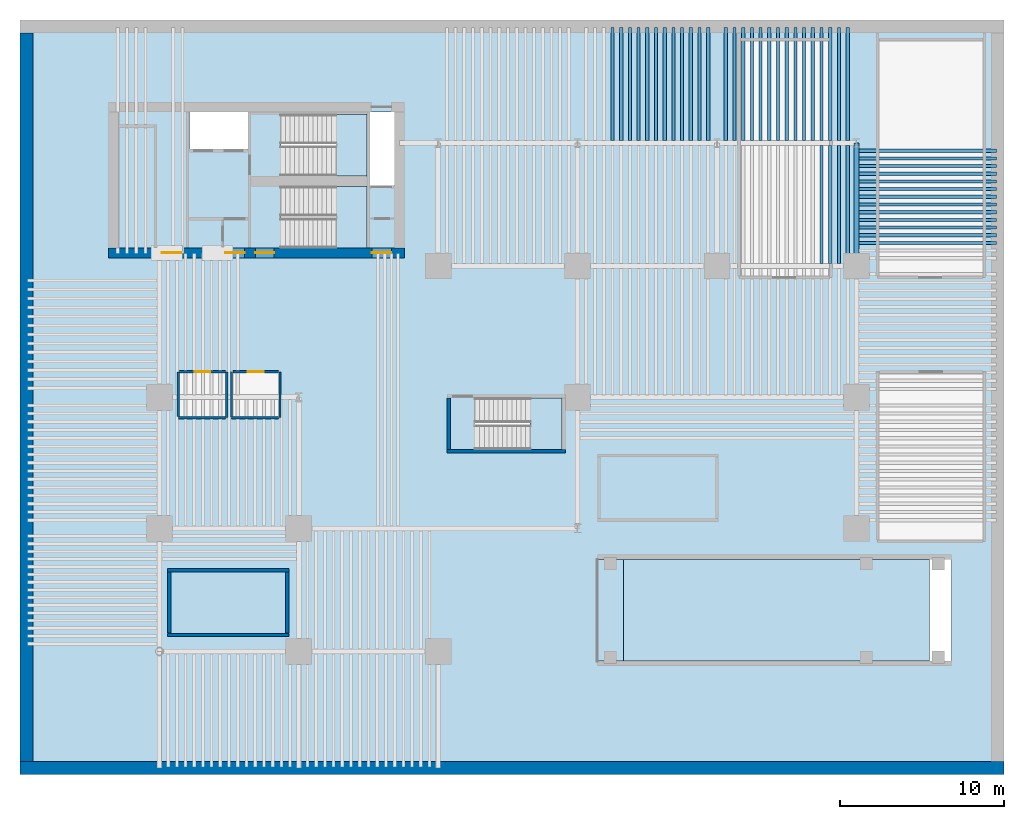
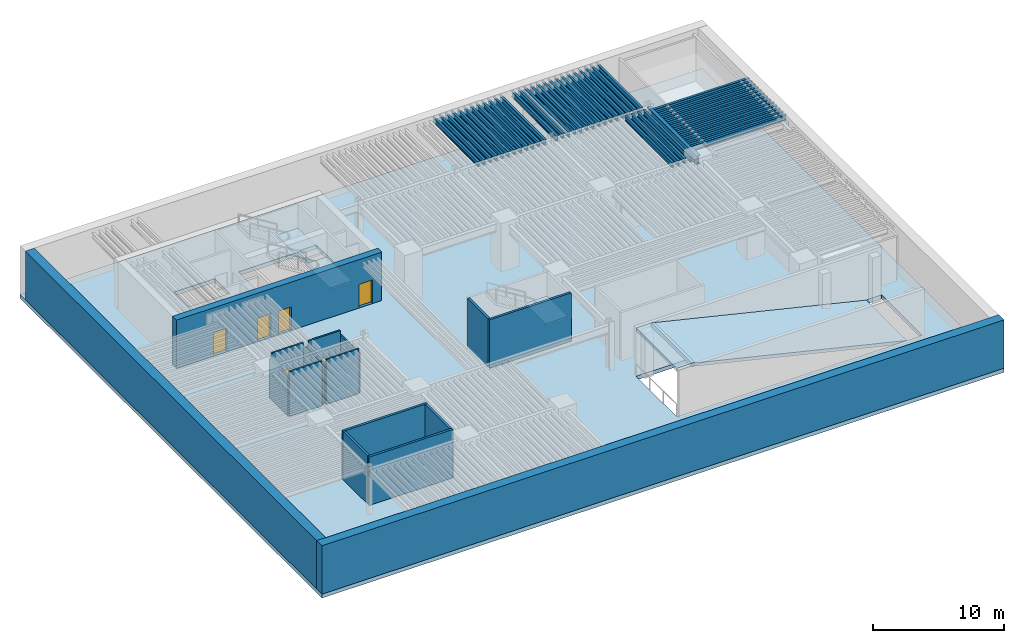
# One storey, part 3 of 9: 45 beams, 17 walls, 6 doors, 6 slabs, 6 openings, 3 elements without a shape of their own.
"""IFC4 building model written with IfcOpenShell, lengths in metres."""

import ifcopenshell
import ifcopenshell.guid

model = None  # the IFC model being written
_history = None  # IfcOwnerHistory: only IFC2X3 demands one
_inside = {}  # id of a spatial element -> (the spatial element, [elements in it])
_under = {}  # id of a project, library or spatial element -> (it, [spatial elements below it])
_declared = {}  # id of a project -> (the project, [libraries it declares])
_typed = {}  # id of a type object -> (the type object, [elements of that type])
_made_of = {}  # id of a material, layer set ... -> (it, [elements and type objects made of it])


def new_model(schema):
    """Start an empty IFC model of exactly this schema.

    Asked for "IFC4X3", IfcOpenShell would pick the latest addendum, in which some entities
    have other attributes; the version numbers below select the first issue.
    IFC2X3 requires an IfcOwnerHistory on every rooted entity: one is made here for all.
    """
    global model, _history
    if schema == "IFC4X3":
        model = ifcopenshell.file(schema_version=(4, 3, 0, 0))
    else:
        model = ifcopenshell.file(schema=schema)
    _inside.clear()
    _under.clear()
    _declared.clear()
    _typed.clear()
    _made_of.clear()
    _history = None
    if model.schema == "IFC2X3":
        org = make("IfcOrganization", Name="unknown")
        user = make(
            "IfcPersonAndOrganization",
            ThePerson=make("IfcPerson", FamilyName="unknown"),
            TheOrganization=org,
        )
        app = make(
            "IfcApplication",
            ApplicationDeveloper=org,
            Version="unknown",
            ApplicationFullName="unknown",
            ApplicationIdentifier="unknown",
        )
        _history = make(
            "IfcOwnerHistory",
            OwningUser=user,
            OwningApplication=app,
            ChangeAction="ADDED",
            CreationDate=0,
        )
    return model


def make(cls, **values):
    """One entity of the class cls with the attributes given. An attribute that is None is left unset."""
    return model.create_entity(
        cls, **{name: value for name, value in values.items() if value is not None}
    )


def rooted(cls, **values):
    """An entity with a GlobalId (a new one), such as an element, a storey or a relation."""
    return make(cls, GlobalId=ifcopenshell.guid.new(), OwnerHistory=_history, **values)


def si_unit(unit_type, name, prefix=None):
    """IfcSIUnit, for example si_unit("LENGTHUNIT", "METRE", prefix="MILLI")."""
    return make("IfcSIUnit", UnitType=unit_type, Prefix=prefix, Name=name)


def assignment(units):
    """IfcUnitAssignment: the units of a project."""
    return None if units is None else make("IfcUnitAssignment", Units=units)


def point(xyz):
    """IfcCartesianPoint."""
    return None if xyz is None else make("IfcCartesianPoint", Coordinates=xyz)


def direction(xyz):
    """IfcDirection."""
    return None if xyz is None else make("IfcDirection", DirectionRatios=xyz)


def frame(location, z_axis=None, x_axis=None):
    """IfcAxis2Placement3D, a coordinate frame: its origin and axes. An axis left out is left unset."""
    return make(
        "IfcAxis2Placement3D",
        Location=point(location),
        Axis=direction(z_axis),
        RefDirection=direction(x_axis),
    )


def frame_2d(location, x_axis=None):
    """IfcAxis2Placement2D, a coordinate frame in the plane: its origin and x axis."""
    return make(
        "IfcAxis2Placement2D", Location=point(location), RefDirection=direction(x_axis)
    )


def origin():
    """The frame at (0, 0, 0) with its axes left unset."""
    return frame((0.0, 0.0, 0.0))


def origin_2d():
    """The frame at (0, 0) in the plane with its x axis left unset."""
    return frame_2d((0.0, 0.0))


def place(relative_to, where):
    """IfcLocalPlacement: puts the frame where relative to a parent placement (None: the world)."""
    return make(
        "IfcLocalPlacement", PlacementRelTo=relative_to, RelativePlacement=where
    )


def context(
    kind, dimensions, precision=None, world=None, true_north=None, identifier=None
):
    """IfcGeometricRepresentationContext, for example the 3D "Model" context."""
    return make(
        "IfcGeometricRepresentationContext",
        ContextIdentifier=identifier,
        ContextType=kind,
        CoordinateSpaceDimension=dimensions,
        Precision=precision,
        WorldCoordinateSystem=world,
        TrueNorth=true_north,
    )


def subcontext(parent, identifier, kind, view, scale=None):
    """IfcGeometricRepresentationSubContext, for example "Body" below "Model"."""
    return make(
        "IfcGeometricRepresentationSubContext",
        ContextIdentifier=identifier,
        ContextType=kind,
        ParentContext=parent,
        TargetScale=scale,
        TargetView=view,
    )


def project(units=None, contexts=None):
    """IfcProject with its units and contexts."""
    return rooted(
        "IfcProject",
        Name="project",
        RepresentationContexts=contexts,
        UnitsInContext=assignment(units),
    )


def spatial(cls, under=None, at=None, **own):
    """A site, building, storey or space (cls), placed at a placement, below another one or the project."""
    s = rooted(cls, ObjectPlacement=at, **own)
    if under is not None:
        _under.setdefault(under.id(), (under, []))[1].append(s)
    return s


def polyline(points):
    """IfcPolyline through the points."""
    return make("IfcPolyline", Points=[point(p) for p in points])


def profile(cls, at=None, kind="AREA", **sizes):
    """A parametric profile (cls). Its sizes go by their IFC names, for example OverallWidth=200.0."""
    return make(cls, ProfileType=kind, Position=at, **sizes)


def rectangle(**sizes):
    """IfcRectangleProfileDef."""
    return profile("IfcRectangleProfileDef", **sizes)


def i_section(**sizes):
    """IfcIShapeProfileDef."""
    return profile("IfcIShapeProfileDef", **sizes)


def outline(outer, holes=None, kind="AREA"):
    """IfcArbitraryClosedProfileDef: a profile drawn as a closed curve; with holes, ...WithVoids."""
    if holes is None:
        return make("IfcArbitraryClosedProfileDef", ProfileType=kind, OuterCurve=outer)
    return make(
        "IfcArbitraryProfileDefWithVoids",
        ProfileType=kind,
        OuterCurve=outer,
        InnerCurves=holes,
    )


def extrude(swept, where, along, depth):
    """IfcExtrudedAreaSolid: the profile swept, set in the frame where, extruded along a direction by depth."""
    return make(
        "IfcExtrudedAreaSolid",
        SweptArea=swept,
        Position=where,
        ExtrudedDirection=direction(along),
        Depth=depth,
    )


def shape(context_of_items, identifier, shape_type, items):
    """IfcShapeRepresentation: the items that make up one representation, for example the "Body"."""
    return make(
        "IfcShapeRepresentation",
        ContextOfItems=context_of_items,
        RepresentationIdentifier=identifier,
        RepresentationType=shape_type,
        Items=items,
    )


def material(Name=None, Category=None):
    """IfcMaterial."""
    return make("IfcMaterial", Name=Name, Category=Category)


def layer(
    of_material, thickness, ventilated=None, Name=None, Category=None, Priority=None
):
    """IfcMaterialLayer: one layer of a wall or slab, of a material (None: an air gap)."""
    return make(
        "IfcMaterialLayer",
        Material=of_material,
        LayerThickness=thickness,
        IsVentilated=ventilated,
        Name=Name,
        Category=Category,
        Priority=Priority,
    )


def layer_set(layers, Name=None):
    """IfcMaterialLayerSet."""
    return make("IfcMaterialLayerSet", MaterialLayers=layers, LayerSetName=Name)


def material_profile(
    of_material, cross_section, Name=None, Category=None, Priority=None
):
    """IfcMaterialProfile: a cross section and its material."""
    return make(
        "IfcMaterialProfile",
        Name=Name,
        Material=of_material,
        Profile=cross_section,
        Priority=Priority,
        Category=Category,
    )


def profile_set(profiles, Name=None, composite=None):
    """IfcMaterialProfileSet."""
    return make(
        "IfcMaterialProfileSet",
        Name=Name,
        MaterialProfiles=profiles,
        CompositeProfile=composite,
    )


def made_of(thing, what):
    """Note that an element or type object is made of a material, layer set ...; save() writes the relation."""
    if what is not None:
        _made_of.setdefault(what.id(), (what, []))[1].append(thing)
    return thing


def type_object(cls, material=None, **own):
    """A type object (cls), such as IfcWallType, which elements share."""
    return made_of(rooted(cls, **own), material)


def element(
    cls,
    number,
    at=None,
    inside=None,
    cuts=None,
    type_object=None,
    material=None,
    context=None,
    identifier="Body",
    shape_type=None,
    held_by="IfcProductDefinitionShape",
    body=None,
    shapes=None,
    **own,
):
    """One element of the class cls, such as IfcWall. Its Tag is "e" and its number.

    at: its placement. inside: the storey or other place that contains it. cuts: it is an
    opening in that element (IfcRelVoidsElement). A single representation is given by context,
    identifier, shape_type and body (its items); several are given by shapes. held_by: the class
    of the entity that holds the representations. save() writes the other relations.
    """
    e = rooted(cls, Tag="e%d" % number, ObjectPlacement=at, **own)
    if body is not None:
        shapes = [shape(context, identifier, shape_type, body)]
    if shapes is not None:
        e.Representation = make(held_by, Representations=shapes)
    if inside is not None:
        _inside.setdefault(inside.id(), (inside, []))[1].append(e)
    if cuts is not None:
        rooted(
            "IfcRelVoidsElement", RelatingBuildingElement=cuts, RelatedOpeningElement=e
        )
    if type_object is not None:
        _typed.setdefault(type_object.id(), (type_object, []))[1].append(e)
    return made_of(e, material)


def fill(opening, filler):
    """IfcRelFillsElement: the door or window that sits in an opening."""
    return rooted(
        "IfcRelFillsElement",
        RelatingOpeningElement=opening,
        RelatedBuildingElement=filler,
    )


def aggregate(whole, parts):
    """IfcRelAggregates: a whole, such as a stair, and the parts it consists of."""
    return rooted("IfcRelAggregates", RelatingObject=whole, RelatedObjects=parts)


def save(model, path):
    """Write the relations noted so far, then the file.

    IfcRelAggregates (storeys below a building ...), IfcRelContainedInSpatialStructure (elements
    in a storey), IfcRelDefinesByType, IfcRelAssociatesMaterial and IfcRelDeclares: one each for
    every whole, place, type object, material and project.
    """
    for whole, parts in _under.values():
        aggregate(whole, parts)
    for where, things in _inside.values():
        rooted(
            "IfcRelContainedInSpatialStructure",
            RelatedElements=things,
            RelatingStructure=where,
        )
    for kind, things in _typed.values():
        rooted("IfcRelDefinesByType", RelatedObjects=things, RelatingType=kind)
    for what, things in _made_of.values():
        rooted("IfcRelAssociatesMaterial", RelatedObjects=things, RelatingMaterial=what)
    for by, libraries in _declared.values():
        rooted("IfcRelDeclares", RelatingContext=by, RelatedDefinitions=libraries)
    model.write(path)


model = new_model("IFC4")

# Units and contexts
model_context = context("Model", 3, precision=1e-05, world=origin(), true_north=direction((0.0, 1.0)))
body_context = subcontext(model_context, "Body", "Model", "MODEL_VIEW")
ifc_project = project(units=[si_unit("LENGTHUNIT", "METRE"), si_unit("AREAUNIT", "SQUARE_METRE"), si_unit("VOLUMEUNIT", "CUBIC_METRE"), si_unit("PLANEANGLEUNIT", "RADIAN"), si_unit("MASSUNIT", "GRAM", prefix="KILO")], contexts=[model_context])

# Site, building, storey
site_placement = place(None, origin())
site = spatial("IfcSite", under=ifc_project, at=site_placement, CompositionType="ELEMENT")
building_placement = place(site_placement, origin())
building = spatial("IfcBuilding", under=site, at=building_placement, Name="Caeloran Harvest Quay", CompositionType="ELEMENT")
storey_placement = place(building_placement, frame((0.0, 0.0, -13.5)))
storey = spatial("IfcBuildingStorey", under=building, at=storey_placement, Name="B03", CompositionType="ELEMENT", Elevation=-13.5)

# Beams
ifc_material_1 = material(Name="Steel S355J2", Category="steel")
ifc_material_profile_1 = material_profile(ifc_material_1, i_section(OverallWidth=0.300048828125, OverallDepth=0.800048828125, WebThickness=0.017578125, FlangeThickness=0.032958984375, FilletRadius=0.030029296875, at=origin_2d()), Name="HE 800 B")
ifc_profile_set_1 = profile_set([ifc_material_profile_1], Name="Steel S355J2")
beam_type_1 = type_object("IfcBeamType", Name="BM-PG-1-HE_800_B", PredefinedType="BEAM", material=ifc_profile_set_1)
beam_placement = place(storey_placement, frame((51.0, 31.0, 3.75), z_axis=(0.0, 1.0, 0.0), x_axis=(-1.0, 0.0, 0.0)))
element("IfcBeam", 1, at=beam_placement, inside=storey, type_object=beam_type_1, Name="B03 Primary North-South Girder X=51.0", PredefinedType="BEAM", context=body_context, shape_type="SweptSolid", body=[
    extrude(i_section(OverallWidth=0.300048828125, OverallDepth=0.800048828125, WebThickness=0.017578125, FlangeThickness=0.032958984375, FilletRadius=0.030029296875, at=origin_2d()), origin(), (0.0, 0.0, 1.0), 7.5),
])
ifc_material_profile_2 = material_profile(ifc_material_1, i_section(OverallWidth=0.199951171875, OverallDepth=0.5, WebThickness=0.01025390625, FlangeThickness=0.01611328125, FilletRadius=0.02099609375, at=origin_2d()), Name="IPE 500")
ifc_profile_set_2 = profile_set([ifc_material_profile_2], Name="Steel S355J2")
beam_type_2 = type_object("IfcBeamType", Name="BM-SB-2-IPE_500", PredefinedType="JOIST", material=ifc_profile_set_2)
for number, where, z_axis, x_axis, name in (
    (2, (36.65625, 38.64501953125, 3.89990234375), (0.0, 1.0, 0.0), (-1.0, 0.0, 0.0), "B03 Secondary Composite Joist"),
    (3, (37.71875, 38.64501953125, 3.89990234375), (0.0, 1.0, 0.0), (-1.0, 0.0, 0.0), "B03 Secondary Composite Joist"),
    (4, (38.78125, 38.64501953125, 3.89990234375), (0.0, 1.0, 0.0), (-1.0, 0.0, 0.0), "B03 Secondary Composite Joist"),
    (5, (39.84375, 38.64501953125, 3.89990234375), (0.0, 1.0, 0.0), (-1.0, 0.0, 0.0), "B03 Secondary Composite Joist"),
    (6, (40.90625, 38.64501953125, 3.89990234375), (0.0, 1.0, 0.0), (-1.0, 0.0, 0.0), "B03 Secondary Composite Joist"),
    (7, (41.96875, 38.64501953125, 3.89990234375), (0.0, 1.0, 0.0), (-1.0, 0.0, 0.0), "B03 Secondary Composite Joist"),
    (8, (43.03125, 38.64501953125, 3.89990234375), (0.0, 1.0, 0.0), (-1.0, 0.0, 0.0), "B03 Secondary Composite Joist"),
    (9, (44.09375, 38.64501953125, 3.89990234375), (0.0, 1.0, 0.0), (-1.0, 0.0, 0.0), "B03 Secondary Composite Joist"),
    (10, (45.15625, 38.64501953125, 3.89990234375), (0.0, 1.0, 0.0), (-1.0, 0.0, 0.0), "B03 Secondary Composite Joist"),
    (11, (46.21875, 38.64501953125, 3.89990234375), (0.0, 1.0, 0.0), (-1.0, 0.0, 0.0), "B03 Secondary Composite Joist"),
    (12, (47.28125, 38.64501953125, 3.89990234375), (0.0, 1.0, 0.0), (-1.0, 0.0, 0.0), "B03 Secondary Composite Joist"),
    (13, (48.34375, 38.64501953125, 3.89990234375), (0.0, 1.0, 0.0), (-1.0, 0.0, 0.0), "B03 Secondary Composite Joist"),
    (14, (49.40625, 38.64501953125, 3.89990234375), (0.0, 1.0, 0.0), (-1.0, 0.0, 0.0), "B03 Secondary Composite Joist"),
    (15, (50.46875, 38.64501953125, 3.89990234375), (0.0, 1.0, 0.0), (-1.0, 0.0, 0.0), "B03 Secondary Composite Joist"),
):
    element("IfcBeam", number, at=place(storey_placement, frame(where, z_axis=z_axis, x_axis=x_axis)), inside=storey, type_object=beam_type_2, Name=name, PredefinedType="JOIST", context=body_context, shape_type="SweptSolid", body=[
        extrude(i_section(OverallWidth=0.199951171875, OverallDepth=0.5, WebThickness=0.01025390625, FlangeThickness=0.01611328125, FilletRadius=0.02099609375, at=origin_2d()), origin(), (0.0, 0.0, 1.0), 6.905029296875),
    ])
for number, where, z_axis, x_axis, name in (
    (16, (49.40625, 31.14501953125, 3.89990234375), (0.0, 1.0, 0.0), (-1.0, 0.0, 0.0), "B03 Secondary Composite Joist"),
    (17, (50.46875, 31.14501953125, 3.89990234375), (0.0, 1.0, 0.0), (-1.0, 0.0, 0.0), "B03 Secondary Composite Joist"),
):
    element("IfcBeam", number, at=place(storey_placement, frame(where, z_axis=z_axis, x_axis=x_axis)), inside=storey, type_object=beam_type_2, Name=name, PredefinedType="JOIST", context=body_context, shape_type="SweptSolid", body=[
        extrude(i_section(OverallWidth=0.199951171875, OverallDepth=0.5, WebThickness=0.01025390625, FlangeThickness=0.01611328125, FilletRadius=0.02099609375, at=origin_2d()), origin(), (0.0, 0.0, 1.0), 7.2099609375),
    ])
for number, where, z_axis, x_axis, name in (
    (18, (51.14501953125, 32.40625, 3.89990234375), (1.0, 0.0, 0.0), (0.0, 1.0, 0.0), "B03 Secondary East-West Composite Joist"),
    (19, (51.14501953125, 33.34375, 3.89990234375), (1.0, 0.0, 0.0), (0.0, 1.0, 0.0), "B03 Secondary East-West Composite Joist"),
    (20, (51.14501953125, 34.28125, 3.89990234375), (1.0, 0.0, 0.0), (0.0, 1.0, 0.0), "B03 Secondary East-West Composite Joist"),
    (21, (51.14501953125, 35.21875, 3.89990234375), (1.0, 0.0, 0.0), (0.0, 1.0, 0.0), "B03 Secondary East-West Composite Joist"),
    (22, (51.14501953125, 36.15625, 3.89990234375), (1.0, 0.0, 0.0), (0.0, 1.0, 0.0), "B03 Secondary East-West Composite Joist"),
    (23, (51.14501953125, 37.09375, 3.89990234375), (1.0, 0.0, 0.0), (0.0, 1.0, 0.0), "B03 Secondary East-West Composite Joist"),
    (24, (51.14501953125, 38.03125, 3.89990234375), (1.0, 0.0, 0.0), (0.0, 1.0, 0.0), "B03 Secondary East-West Composite Joist"),
):
    element("IfcBeam", number, at=place(storey_placement, frame(where, z_axis=z_axis, x_axis=x_axis)), inside=storey, type_object=beam_type_2, Name=name, PredefinedType="JOIST", context=body_context, shape_type="SweptSolid", body=[
        extrude(i_section(OverallWidth=0.199951171875, OverallDepth=0.5, WebThickness=0.01025390625, FlangeThickness=0.01611328125, FilletRadius=0.02099609375, at=origin_2d()), origin(), (0.0, 0.0, 1.0), 8.405029296875),
    ])
ifc_material_profile_3 = material_profile(ifc_material_1, i_section(OverallWidth=0.18994140625, OverallDepth=0.449951171875, WebThickness=0.009521484375, FlangeThickness=0.0146484375, FilletRadius=0.02099609375, at=origin_2d()), Name="IPE 450")
ifc_profile_set_3 = profile_set([ifc_material_profile_3], Name="Steel S355J2")
beam_type_3 = type_object("IfcBeamType", Name="BM-SB-3-IPE_450", PredefinedType="JOIST", material=ifc_profile_set_3)
for number, where, z_axis, x_axis, name in (
    (25, (36.125, 38.64501953125, 3.925048828125), (0.0, 1.0, 0.0), (-1.0, 0.0, 0.0), "B03 Secondary Composite Joist"),
    (26, (37.1875, 38.64501953125, 3.925048828125), (0.0, 1.0, 0.0), (-1.0, 0.0, 0.0), "B03 Secondary Composite Joist"),
    (27, (38.25, 38.64501953125, 3.925048828125), (0.0, 1.0, 0.0), (-1.0, 0.0, 0.0), "B03 Secondary Composite Joist"),
    (28, (39.3125, 38.64501953125, 3.925048828125), (0.0, 1.0, 0.0), (-1.0, 0.0, 0.0), "B03 Secondary Composite Joist"),
    (29, (40.375, 38.64501953125, 3.925048828125), (0.0, 1.0, 0.0), (-1.0, 0.0, 0.0), "B03 Secondary Composite Joist"),
    (30, (41.4375, 38.64501953125, 3.925048828125), (0.0, 1.0, 0.0), (-1.0, 0.0, 0.0), "B03 Secondary Composite Joist"),
    (31, (43.5625, 38.64501953125, 3.925048828125), (0.0, 1.0, 0.0), (-1.0, 0.0, 0.0), "B03 Secondary Composite Joist"),
    (32, (44.625, 38.64501953125, 3.925048828125), (0.0, 1.0, 0.0), (-1.0, 0.0, 0.0), "B03 Secondary Composite Joist"),
    (33, (45.6875, 38.64501953125, 3.925048828125), (0.0, 1.0, 0.0), (-1.0, 0.0, 0.0), "B03 Secondary Composite Joist"),
    (34, (46.75, 38.64501953125, 3.925048828125), (0.0, 1.0, 0.0), (-1.0, 0.0, 0.0), "B03 Secondary Composite Joist"),
    (35, (47.8125, 38.64501953125, 3.925048828125), (0.0, 1.0, 0.0), (-1.0, 0.0, 0.0), "B03 Secondary Composite Joist"),
    (36, (48.875, 38.64501953125, 3.925048828125), (0.0, 1.0, 0.0), (-1.0, 0.0, 0.0), "B03 Secondary Composite Joist"),
    (37, (49.9375, 38.64501953125, 3.925048828125), (0.0, 1.0, 0.0), (-1.0, 0.0, 0.0), "B03 Secondary Composite Joist"),
):
    element("IfcBeam", number, at=place(storey_placement, frame(where, z_axis=z_axis, x_axis=x_axis)), inside=storey, type_object=beam_type_3, Name=name, PredefinedType="JOIST", context=body_context, shape_type="SweptSolid", body=[
        extrude(i_section(OverallWidth=0.18994140625, OverallDepth=0.449951171875, WebThickness=0.009521484375, FlangeThickness=0.0146484375, FilletRadius=0.02099609375, at=origin_2d()), origin(), (0.0, 0.0, 1.0), 6.905029296875),
    ])
for number, where, z_axis, x_axis, name in (
    (38, (48.875, 31.14501953125, 3.925048828125), (0.0, 1.0, 0.0), (-1.0, 0.0, 0.0), "B03 Secondary Composite Joist"),
    (39, (49.9375, 31.14501953125, 3.925048828125), (0.0, 1.0, 0.0), (-1.0, 0.0, 0.0), "B03 Secondary Composite Joist"),
):
    element("IfcBeam", number, at=place(storey_placement, frame(where, z_axis=z_axis, x_axis=x_axis)), inside=storey, type_object=beam_type_3, Name=name, PredefinedType="JOIST", context=body_context, shape_type="SweptSolid", body=[
        extrude(i_section(OverallWidth=0.18994140625, OverallDepth=0.449951171875, WebThickness=0.009521484375, FlangeThickness=0.0146484375, FilletRadius=0.02099609375, at=origin_2d()), origin(), (0.0, 0.0, 1.0), 7.2099609375),
    ])
for number, where, z_axis, x_axis, name in (
    (40, (51.14501953125, 32.875, 3.925048828125), (1.0, 0.0, 0.0), (0.0, 1.0, 0.0), "B03 Secondary East-West Composite Joist"),
    (41, (51.14501953125, 33.8125, 3.925048828125), (1.0, 0.0, 0.0), (0.0, 1.0, 0.0), "B03 Secondary East-West Composite Joist"),
    (42, (51.14501953125, 34.75, 3.925048828125), (1.0, 0.0, 0.0), (0.0, 1.0, 0.0), "B03 Secondary East-West Composite Joist"),
    (43, (51.14501953125, 35.6875, 3.925048828125), (1.0, 0.0, 0.0), (0.0, 1.0, 0.0), "B03 Secondary East-West Composite Joist"),
    (44, (51.14501953125, 36.625, 3.925048828125), (1.0, 0.0, 0.0), (0.0, 1.0, 0.0), "B03 Secondary East-West Composite Joist"),
    (45, (51.14501953125, 37.5625, 3.925048828125), (1.0, 0.0, 0.0), (0.0, 1.0, 0.0), "B03 Secondary East-West Composite Joist"),
):
    element("IfcBeam", number, at=place(storey_placement, frame(where, z_axis=z_axis, x_axis=x_axis)), inside=storey, type_object=beam_type_3, Name=name, PredefinedType="JOIST", context=body_context, shape_type="SweptSolid", body=[
        extrude(i_section(OverallWidth=0.18994140625, OverallDepth=0.449951171875, WebThickness=0.009521484375, FlangeThickness=0.0146484375, FilletRadius=0.02099609375, at=origin_2d()), origin(), (0.0, 0.0, 1.0), 8.405029296875),
    ])

# Slabs
ifc_material_2 = material(Name="Concrete C50/60", Category="concrete")
ifc_layer_1 = layer(ifc_material_2, 0.364990234375, Name="Concrete C50/60")
ifc_layer_set_1 = layer_set([ifc_layer_1], Name="Concrete C50/60")
slab_type_1 = type_object("IfcSlabType", Name="SLAB-FS-365", PredefinedType="FLOOR", material=ifc_layer_set_1)
slab_1_placement = place(storey_placement, frame((0.0, 0.0, -0.364990234375)))
element("IfcSlab", 46, at=slab_1_placement, inside=storey, type_object=slab_type_1, Name="B03 Structural Floor Slab", PredefinedType="FLOOR", context=body_context, shape_type="SweptSolid", body=[
    extrude(outline(polyline([(0.0, 0.0), (60.0, 0.0), (60.0, 46.0), (0.0, 46.0), (0.0, 0.0)]), holes=[polyline([(56.800048828125, 13.10009765625), (56.800048828125, 6.89990234375), (35.199951171875, 6.89990234375), (35.199951171875, 13.10009765625), (56.800048828125, 13.10009765625)]), polyline([(27.75, 19.800048828125), (27.75, 22.949951171875), (33.050048828125, 22.949951171875), (33.050048828125, 19.800048828125), (27.75, 19.800048828125)]), polyline([(15.89990234375, 32.10009765625), (15.89990234375, 35.85009765625), (21.14990234375, 35.85009765625), (21.14990234375, 32.10009765625), (15.89990234375, 32.10009765625)]), polyline([(22.830078125, 40.3798828125), (22.830078125, 35.919921875), (21.35009765625, 35.919921875), (21.35009765625, 40.3798828125), (22.830078125, 40.3798828125)]), polyline([(15.89990234375, 36.5), (15.89990234375, 40.25), (21.14990234375, 40.25), (21.14990234375, 36.5), (15.89990234375, 36.5)]), polyline([(13.89990234375, 38.1201171875), (10.320068359375, 38.1201171875), (10.320068359375, 40.3798828125), (13.89990234375, 40.3798828125), (13.89990234375, 38.1201171875)])]), origin(), (0.0, 0.0, 1.0), 0.364990234375),
])
ifc_layer_2 = layer(ifc_material_2, 0.300048828125, Name="Concrete C50/60")
ifc_layer_set_2 = layer_set([ifc_layer_2], Name="Concrete C50/60")
slab_type_2 = type_object("IfcSlabType", Name="SLAB-RL-300", PredefinedType="LANDING", material=ifc_layer_set_2)
slab_2_placement = place(storey_placement, frame((0.0, 0.0, 4.199951171875)))
element("IfcSlab", 47, at=slab_2_placement, inside=storey, type_object=slab_type_2, Name="Car Park Vehicle Ramp VR-1 Transition Landing Slab B03", PredefinedType="LANDING", context=body_context, shape_type="SweptSolid", body=[
    extrude(outline(polyline([(35.199951171875, 6.89990234375), (36.800048828125, 6.89990234375), (36.800048828125, 13.10009765625), (35.199951171875, 13.10009765625), (35.199951171875, 6.89990234375)])), origin(), (0.0, 0.0, 1.0), 0.300048828125),
])
ifc_layer_3 = layer(ifc_material_2, 0.300048828125, Name="Concrete C50/60")
ifc_layer_set_3 = layer_set([ifc_layer_3], Name="Concrete C50/60")
slab_type_3 = type_object("IfcSlabType", Name="SLAB-VR-300", PredefinedType="FLOOR", material=ifc_layer_set_3)
slab_3_placement = place(storey_placement, frame((36.550048828125, 6.89990234375, 4.5), z_axis=(0.231621659889, 0.0, 0.972805945022), x_axis=(0.972805945022, 0.0, -0.231621659889)))
element("IfcSlab", 48, at=slab_3_placement, inside=storey, type_object=slab_type_3, Name="Car Park Vehicle Ramp Structural Slab VR-1 (B03)", PredefinedType="FLOOR", context=body_context, shape_type="SweptSolid", body=[
    extrude(outline(polyline([(0.0, 0.0), (19.428234829836875, 0.0), (19.428234829836875, 6.2001953125), (0.0, 6.2001953125), (0.0, 0.0)])), origin(), (0.0, 0.0, -1.0), 0.300048828125),
])

# Stair, slab
stair_type_1 = type_object("IfcStairType", Name="STAIR-STC-180", PredefinedType="HALF_TURN_STAIR", material=ifc_material_2)
stair_1_placement = place(storey_placement, origin())
stair_1 = element("IfcStair", 49, at=stair_1_placement, inside=storey, type_object=stair_type_1, Name="B03 Core Pressurized Exit Stair ST-C1", PredefinedType="HALF_TURN_STAIR")
ifc_layer_4 = layer(ifc_material_2, 0.219970703125, Name="Concrete C50/60")
ifc_layer_set_4 = layer_set([ifc_layer_4], Name="Concrete C50/60")
slab_type_4 = type_object("IfcSlabType", Name="STAIR-LANDING-220", PredefinedType="LANDING", material=ifc_layer_set_4)
slab_4_placement = place(storey_placement, frame((0.0, 0.0, 2.050048828125)))
slab_4 = element("IfcSlab", 50, at=slab_4_placement, type_object=slab_type_4, Name="ST-C1 landing 1", PredefinedType="LANDING", context=body_context, shape_type="SweptSolid", body=[
    extrude(outline(polyline([(19.260009765625, 36.5), (21.14990234375, 36.5), (21.14990234375, 40.25), (19.260009765625, 40.25), (19.260009765625, 36.5)])), origin(), (0.0, 0.0, 1.0), 0.199951171875),
])
aggregate(stair_1, [slab_4])

stair_2_placement = place(storey_placement, origin())
stair_2 = element("IfcStair", 51, at=stair_2_placement, inside=storey, type_object=stair_type_1, Name="B03 Core Pressurized Exit Stair ST-C2", PredefinedType="HALF_TURN_STAIR")
slab_5_placement = place(storey_placement, frame((0.0, 0.0, 2.050048828125)))
slab_5 = element("IfcSlab", 52, at=slab_5_placement, type_object=slab_type_4, Name="ST-C2 landing 1", PredefinedType="LANDING", context=body_context, shape_type="SweptSolid", body=[
    extrude(outline(polyline([(19.260009765625, 32.10009765625), (21.14990234375, 32.10009765625), (21.14990234375, 35.85009765625), (19.260009765625, 35.85009765625), (19.260009765625, 32.10009765625)])), origin(), (0.0, 0.0, 1.0), 0.199951171875),
])
aggregate(stair_2, [slab_5])

stair_type_2 = type_object("IfcStairType", Name="STAIR-STW-150", PredefinedType="HALF_TURN_STAIR", material=ifc_material_2)
stair_3_placement = place(storey_placement, origin())
stair_3 = element("IfcStair", 53, at=stair_3_placement, inside=storey, type_object=stair_type_2, Name="B03 East Wing Protected Exit Stair ST-W1", PredefinedType="HALF_TURN_STAIR")
slab_6_placement = place(storey_placement, frame((0.0, 0.0, 2.050048828125)))
slab_6 = element("IfcSlab", 54, at=slab_6_placement, type_object=slab_type_4, Name="ST-W1 landing 1", PredefinedType="LANDING", context=body_context, shape_type="SweptSolid", body=[
    extrude(outline(polyline([(31.110107421875, 19.800048828125), (33.050048828125, 19.800048828125), (33.050048828125, 22.949951171875), (31.110107421875, 22.949951171875), (31.110107421875, 19.800048828125)])), origin(), (0.0, 0.0, 1.0), 0.199951171875),
])
aggregate(stair_3, [slab_6])

# Walls
ifc_material_3 = material(Name="Moisture-Resistant Cement-Board Sanitary Partition", Category="gypsum")
ifc_layer_5 = layer(ifc_material_3, 0.139892578125, Name="Moisture-Resistant Cement-Board Sanitary Partition")
ifc_layer_set_5 = layer_set([ifc_layer_5], Name="Moisture-Resistant Cement-Board Sanitary Partition")
wall_type_1 = type_object("IfcWallType", Name="INT-WALL-PW-140", PredefinedType="PARTITIONING", material=ifc_layer_set_5)
wall_1_placement = place(storey_placement, frame((12.60009765625, 24.550048828125, 0.0), z_axis=(0.0, 0.0, 1.0), x_axis=(0.0, -1.0, 0.0)))
element("IfcWall", 55, at=wall_1_placement, inside=storey, type_object=wall_type_1, Name="B03 Car Park Male Washroom WC Partition Wall", PredefinedType="PARTITIONING", context=body_context, shape_type="SweptSolid", body=[
    extrude(rectangle(XDim=2.800048828125, YDim=0.139892578125, at=frame_2d((1.39990234375, 0.0))), origin(), (0.0, 0.0, 1.0), 3.68505859375),
])
wall_2_placement = place(storey_placement, frame((12.52490234375, 21.75, 0.0), z_axis=(0.0, 0.0, 1.0), x_axis=(-1.0, 0.0, 0.0)))
element("IfcWall", 56, at=wall_2_placement, inside=storey, type_object=wall_type_1, Name="B03 Car Park Male Washroom WC Partition Wall", PredefinedType="PARTITIONING", context=body_context, shape_type="SweptSolid", body=[
    extrude(rectangle(XDim=2.875, YDim=0.139892578125, at=frame_2d((1.4375, 0.0))), origin(), (0.0, 0.0, 1.0), 4.14990234375),
])
wall_3_placement = place(storey_placement, frame((9.64990234375, 21.824951171875, 0.0), z_axis=(0.0, 0.0, 1.0), x_axis=(0.0, 1.0, 0.0)))
element("IfcWall", 57, at=wall_3_placement, inside=storey, type_object=wall_type_1, Name="B03 Car Park Male Washroom WC Partition Wall", PredefinedType="PARTITIONING", context=body_context, shape_type="SweptSolid", body=[
    extrude(rectangle(XDim=2.72509765625, YDim=0.139892578125, at=frame_2d((1.362548828125, 0.0))), origin(), (0.0, 0.0, 1.0), 3.68505859375),
])

# Wall, opening, door
wall_4_placement = place(storey_placement, frame((9.72509765625, 24.550048828125, 0.0), z_axis=(0.0, 0.0, 1.0), x_axis=(1.0, 0.0, 0.0)))
wall_4 = element("IfcWall", 58, at=wall_4_placement, inside=storey, type_object=wall_type_1, Name="B03 Car Park Male Washroom WC Partition Wall", PredefinedType="PARTITIONING", context=body_context, shape_type="SweptSolid", body=[
    extrude(rectangle(XDim=2.7998046875, YDim=0.139892578125, at=frame_2d((1.39990234375, 0.0))), origin(), (0.0, 0.0, 1.0), 4.14990234375),
])
opening_1_placement = place(wall_4_placement, frame((0.925048828125, 0.0, 0.0)))
opening_1 = element("IfcOpeningElement", 59, at=opening_1_placement, cuts=wall_4, Name="Opening WC-01", PredefinedType="OPENING", context=body_context, shape_type="SweptSolid", body=[
    extrude(rectangle(XDim=0.949951171875, YDim=2.14990234375, at=frame_2d((0.47509765625, 1.074951171875))), frame((0.0, 0.080078125, 0.0), z_axis=(0.0, -1.0, 0.0), x_axis=(1.0, 0.0, 0.0)), (0.0, 0.0, 1.0), 0.159912109375),
])
ifc_material_4 = material(Name="High-Pressure Laminate Moisture-Resistant Timber", Category="wood")
door_type_1 = type_object("IfcDoorType", Name="INTDOOR-WC-01", OperationType="NOTDEFINED", PredefinedType="DOOR", material=ifc_material_4)
door_1_placement = place(opening_1_placement, origin())
door_1 = element("IfcDoor", 60, at=door_1_placement, inside=storey, type_object=door_type_1, Name="B03 Car Park Male Washroom WC Access Door", OperationType="SINGLE_SWING_RIGHT", OverallHeight=2.14990234375, OverallWidth=0.949951171875, PredefinedType="DOOR", context=body_context, shape_type="SweptSolid", body=[
    extrude(rectangle(XDim=0.949951171875, YDim=2.14990234375, at=frame_2d((0.47509765625, 1.074951171875))), frame((0.0, 0.02490234375, 0.0), z_axis=(0.0, -1.0, 0.0), x_axis=(1.0, 0.0, 0.0)), (0.0, 0.0, 1.0), 0.050048828125),
])
fill(opening_1, door_1)

# Walls
wall_5_placement = place(storey_placement, frame((15.85009765625, 24.550048828125, 0.0), z_axis=(0.0, 0.0, 1.0), x_axis=(0.0, -1.0, 0.0)))
element("IfcWall", 61, at=wall_5_placement, inside=storey, type_object=wall_type_1, Name="B03 Accessible Unisex Washroom WC Partition Wall", PredefinedType="PARTITIONING", context=body_context, shape_type="SweptSolid", body=[
    extrude(rectangle(XDim=2.800048828125, YDim=0.139892578125, at=frame_2d((1.39990234375, 0.0))), origin(), (0.0, 0.0, 1.0), 3.68505859375),
])
wall_6_placement = place(storey_placement, frame((15.77490234375, 21.75, 0.0), z_axis=(0.0, 0.0, 1.0), x_axis=(-1.0, 0.0, 0.0)))
element("IfcWall", 62, at=wall_6_placement, inside=storey, type_object=wall_type_1, Name="B03 Accessible Unisex Washroom WC Partition Wall", PredefinedType="PARTITIONING", context=body_context, shape_type="SweptSolid", body=[
    extrude(rectangle(XDim=2.875, YDim=0.139892578125, at=frame_2d((1.4375, 0.0))), origin(), (0.0, 0.0, 1.0), 4.14990234375),
])
wall_7_placement = place(storey_placement, frame((12.89990234375, 21.824951171875, 0.0), z_axis=(0.0, 0.0, 1.0), x_axis=(0.0, 1.0, 0.0)))
element("IfcWall", 63, at=wall_7_placement, inside=storey, type_object=wall_type_1, Name="B03 Accessible Unisex Washroom WC Partition Wall", PredefinedType="PARTITIONING", context=body_context, shape_type="SweptSolid", body=[
    extrude(rectangle(XDim=2.72509765625, YDim=0.139892578125, at=frame_2d((1.362548828125, 0.0))), origin(), (0.0, 0.0, 1.0), 3.68505859375),
])

# Wall, opening, door
wall_8_placement = place(storey_placement, frame((12.97509765625, 24.550048828125, 0.0), z_axis=(0.0, 0.0, 1.0), x_axis=(1.0, 0.0, 0.0)))
wall_8 = element("IfcWall", 64, at=wall_8_placement, inside=storey, type_object=wall_type_1, Name="B03 Accessible Unisex Washroom WC Partition Wall", PredefinedType="PARTITIONING", context=body_context, shape_type="SweptSolid", body=[
    extrude(rectangle(XDim=2.7998046875, YDim=0.139892578125, at=frame_2d((1.39990234375, 0.0))), origin(), (0.0, 0.0, 1.0), 4.14990234375),
])
opening_2_placement = place(wall_8_placement, frame((0.925048828125, 0.0, 0.0)))
opening_2 = element("IfcOpeningElement", 65, at=opening_2_placement, cuts=wall_8, Name="Opening WC-01", PredefinedType="OPENING", context=body_context, shape_type="SweptSolid", body=[
    extrude(rectangle(XDim=0.949951171875, YDim=2.14990234375, at=frame_2d((0.47509765625, 1.074951171875))), frame((0.0, 0.080078125, 0.0), z_axis=(0.0, -1.0, 0.0), x_axis=(1.0, 0.0, 0.0)), (0.0, 0.0, 1.0), 0.159912109375),
])
door_2_placement = place(opening_2_placement, origin())
door_2 = element("IfcDoor", 66, at=door_2_placement, inside=storey, type_object=door_type_1, Name="B03 Accessible Unisex Washroom WC Access Door", OperationType="SINGLE_SWING_LEFT", OverallHeight=2.14990234375, OverallWidth=0.949951171875, PredefinedType="DOOR", context=body_context, shape_type="SweptSolid", body=[
    extrude(rectangle(XDim=0.949951171875, YDim=2.14990234375, at=frame_2d((0.47509765625, 1.074951171875))), frame((0.0, 0.02490234375, 0.0), z_axis=(0.0, -1.0, 0.0), x_axis=(1.0, 0.0, 0.0)), (0.0, 0.0, 1.0), 0.050048828125),
])
fill(opening_2, door_2)

# Wall, openings, doors
ifc_material_5 = material(Name="Concrete C80/95", Category="concrete")
ifc_layer_6 = layer(ifc_material_5, 0.60009765625, Name="Concrete C80/95")
ifc_layer_set_6 = layer_set([ifc_layer_6], Name="Concrete C80/95")
wall_type_2 = type_object("IfcWallType", Name="STR-WALL-CW-600", PredefinedType="SHEAR", material=ifc_layer_set_6)
wall_9_placement = place(storey_placement, frame((5.39990234375, 31.800048828125, 0.0), z_axis=(0.0, 0.0, 1.0), x_axis=(1.0, 0.0, 0.0)))
wall_9 = element("IfcWall", 67, at=wall_9_placement, inside=storey, type_object=wall_type_2, Name="B03 Rear Core Shear Wall S", PredefinedType="SHEAR", context=body_context, shape_type="SweptSolid", body=[
    extrude(rectangle(XDim=18.050048828125, YDim=0.60009765625, at=frame_2d((9.02490234375, 0.0))), origin(), (0.0, 0.0, 1.0), 4.5),
])
opening_3_placement = place(wall_9_placement, frame((3.25, 0.0, 0.0)))
opening_3 = element("IfcOpeningElement", 68, at=opening_3_placement, cuts=wall_9, Name="Opening FD-01", PredefinedType="OPENING", context=body_context, shape_type="SweptSolid", body=[
    extrude(rectangle(XDim=1.199951171875, YDim=2.199951171875, at=frame_2d((0.60009765625, 1.10009765625))), frame((0.0, 0.31005859375, 0.0), z_axis=(0.0, -1.0, 0.0), x_axis=(1.0, 0.0, 0.0)), (0.0, 0.0, 1.0), 0.6201171875),
])
opening_4_placement = place(wall_9_placement, frame((7.10009765625, 0.0, 0.0)))
opening_4 = element("IfcOpeningElement", 69, at=opening_4_placement, cuts=wall_9, Name="Opening FD-01", PredefinedType="OPENING", context=body_context, shape_type="SweptSolid", body=[
    extrude(rectangle(XDim=1.199951171875, YDim=2.199951171875, at=frame_2d((0.60009765625, 1.10009765625))), frame((0.0, 0.31005859375, 0.0), z_axis=(0.0, -1.0, 0.0), x_axis=(1.0, 0.0, 0.0)), (0.0, 0.0, 1.0), 0.6201171875),
])
opening_5_placement = place(wall_9_placement, frame((8.949951171875, 0.0, 0.0)))
opening_5 = element("IfcOpeningElement", 70, at=opening_5_placement, cuts=wall_9, Name="Opening SD-01", PredefinedType="OPENING", context=body_context, shape_type="SweptSolid", body=[
    extrude(rectangle(XDim=1.14990234375, YDim=2.199951171875, at=frame_2d((0.574951171875, 1.10009765625))), frame((0.0, 0.31005859375, 0.0), z_axis=(0.0, -1.0, 0.0), x_axis=(1.0, 0.0, 0.0)), (0.0, 0.0, 1.0), 0.6201171875),
])
opening_6_placement = place(wall_9_placement, frame((16.050048828125, 0.0, 0.0)))
opening_6 = element("IfcOpeningElement", 71, at=opening_6_placement, cuts=wall_9, Name="Opening FD-01", PredefinedType="OPENING", context=body_context, shape_type="SweptSolid", body=[
    extrude(rectangle(XDim=1.199951171875, YDim=2.199951171875, at=frame_2d((0.60009765625, 1.10009765625))), frame((0.0, 0.31005859375, 0.0), z_axis=(0.0, -1.0, 0.0), x_axis=(1.0, 0.0, 0.0)), (0.0, 0.0, 1.0), 0.6201171875),
])
ifc_material_6 = material(Name="Steel", Category="steel")
door_type_2 = type_object("IfcDoorType", Name="INTDOOR-FD-01", OperationType="NOTDEFINED", PredefinedType="DOOR", material=ifc_material_6)
door_3_placement = place(opening_3_placement, origin())
door_3 = element("IfcDoor", 72, at=door_3_placement, inside=storey, type_object=door_type_2, Name="B03 High-Rise Lift Lobby Fire Door", OperationType="SINGLE_SWING_RIGHT", OverallHeight=2.199951171875, OverallWidth=1.199951171875, PredefinedType="DOOR", context=body_context, shape_type="SweptSolid", body=[
    extrude(rectangle(XDim=1.199951171875, YDim=2.199951171875, at=frame_2d((0.60009765625, 1.10009765625))), frame((0.0, 0.02490234375, 0.0), z_axis=(0.0, -1.0, 0.0), x_axis=(1.0, 0.0, 0.0)), (0.0, 0.0, 1.0), 0.050048828125),
])
fill(opening_3, door_3)
door_4_placement = place(opening_4_placement, origin())
door_4 = element("IfcDoor", 73, at=door_4_placement, inside=storey, type_object=door_type_2, Name="B03 Firefighting Lobby Vestibule Fire Door", OperationType="SINGLE_SWING_LEFT", OverallHeight=2.199951171875, OverallWidth=1.199951171875, PredefinedType="DOOR", context=body_context, shape_type="SweptSolid", body=[
    extrude(rectangle(XDim=1.199951171875, YDim=2.199951171875, at=frame_2d((0.60009765625, 1.10009765625))), frame((0.0, 0.02490234375, 0.0), z_axis=(0.0, -1.0, 0.0), x_axis=(1.0, 0.0, 0.0)), (0.0, 0.0, 1.0), 0.050048828125),
])
fill(opening_4, door_4)
door_5_placement = place(opening_6_placement, origin())
door_5 = element("IfcDoor", 74, at=door_5_placement, inside=storey, type_object=door_type_2, Name="B03 Service Lift Lobby Fire Door", OperationType="SINGLE_SWING_LEFT", OverallHeight=2.199951171875, OverallWidth=1.199951171875, PredefinedType="DOOR", context=body_context, shape_type="SweptSolid", body=[
    extrude(rectangle(XDim=1.199951171875, YDim=2.199951171875, at=frame_2d((0.60009765625, 1.10009765625))), frame((0.0, 0.02490234375, 0.0), z_axis=(0.0, -1.0, 0.0), x_axis=(1.0, 0.0, 0.0)), (0.0, 0.0, 1.0), 0.050048828125),
])
fill(opening_6, door_5)
door_type_3 = type_object("IfcDoorType", Name="INTDOOR-SD-01", OperationType="NOTDEFINED", PredefinedType="DOOR", material=ifc_material_6)
door_6_placement = place(opening_5_placement, origin())
door_6 = element("IfcDoor", 75, at=door_6_placement, inside=storey, type_object=door_type_3, Name="B03 Protected Stair ST-C2 Exit Door", OperationType="SINGLE_SWING_RIGHT", OverallHeight=2.199951171875, OverallWidth=1.14990234375, PredefinedType="DOOR", context=body_context, shape_type="SweptSolid", body=[
    extrude(rectangle(XDim=1.14990234375, YDim=2.199951171875, at=frame_2d((0.574951171875, 1.10009765625))), frame((0.0, 0.02490234375, 0.0), z_axis=(0.0, -1.0, 0.0), x_axis=(1.0, 0.0, 0.0)), (0.0, 0.0, 1.0), 0.050048828125),
])
fill(opening_5, door_6)

# Walls
ifc_material_7 = material(Name="Concrete C60/75", Category="concrete")
ifc_layer_7 = layer(ifc_material_7, 0.800048828125, Name="Concrete C60/75")
ifc_layer_set_7 = layer_set([ifc_layer_7], Name="Concrete C60/75")
wall_type_3 = type_object("IfcWallType", Name="STR-WALL-DW-800", PredefinedType="USERDEFINED", material=ifc_layer_set_7)
wall_10_placement = place(storey_placement, frame((0.0, 0.39990234375, 0.0), z_axis=(0.0, 0.0, 1.0), x_axis=(1.0, 0.0, 0.0)))
element("IfcWall", 76, at=wall_10_placement, inside=storey, type_object=wall_type_3, Name="B03 Basement Diaphragm Retaining Wall S 800 mm", ObjectType="RETAININGWALL", PredefinedType="USERDEFINED", context=body_context, shape_type="SweptSolid", body=[
    extrude(rectangle(XDim=60.0, YDim=0.800048828125, at=frame_2d((30.0, 0.0))), origin(), (0.0, 0.0, 1.0), 4.5),
])
wall_11_placement = place(storey_placement, frame((0.39990234375, 0.800048828125, 0.0), z_axis=(0.0, 0.0, 1.0), x_axis=(0.0, 1.0, 0.0)))
element("IfcWall", 77, at=wall_11_placement, inside=storey, type_object=wall_type_3, Name="B03 Basement Diaphragm Retaining Wall W 800 mm", ObjectType="RETAININGWALL", PredefinedType="USERDEFINED", context=body_context, shape_type="SweptSolid", body=[
    extrude(rectangle(XDim=44.39990234375, YDim=0.800048828125, at=frame_2d((22.199951171875, 0.0))), origin(), (0.0, 0.0, 1.0), 4.5),
])
ifc_layer_8 = layer(ifc_material_7, 0.199951171875, Name="Concrete C60/75")
ifc_layer_set_8 = layer_set([ifc_layer_8], Name="Concrete C60/75")
wall_type_4 = type_object("IfcWallType", Name="STR-WALL-SW-200", PredefinedType="SHEAR", material=ifc_layer_set_8)
wall_12_placement = place(storey_placement, frame((26.050048828125, 19.699951171875, 0.0), z_axis=(0.0, 0.0, 1.0), x_axis=(1.0, 0.0, 0.0)))
element("IfcWall", 78, at=wall_12_placement, inside=storey, type_object=wall_type_4, Name="B03 Stair ST-W1 S RC Shaft Shear Wall", PredefinedType="SHEAR", context=body_context, shape_type="SweptSolid", body=[
    extrude(rectangle(XDim=7.199951171875, YDim=0.199951171875, at=frame_2d((3.60009765625, 0.0))), origin(), (0.0, 0.0, 1.0), 4.5),
])
wall_13_placement = place(storey_placement, frame((26.14990234375, 19.81005859375, 0.0), z_axis=(0.0, 0.0, 1.0), x_axis=(0.0, 1.0, 0.0)))
element("IfcWall", 79, at=wall_13_placement, inside=storey, type_object=wall_type_4, Name="B03 Stair ST-W1 W RC Shaft Shear Wall", PredefinedType="SHEAR", context=body_context, shape_type="SweptSolid", body=[
    extrude(rectangle(XDim=3.1298828125, YDim=0.199951171875, at=frame_2d((1.56494140625, 0.0))), origin(), (0.0, 0.0, 1.0), 4.5),
])
for number, where, z_axis, x_axis, name in (
    (80, (9.0, 8.5, 0.0), (0.0, 0.0, 1.0), (1.0, 0.0, 0.0), "B03 Stair ST-P1 S RC Shaft Shear Wall"),
    (81, (9.0, 12.449951171875, 0.0), (0.0, 0.0, 1.0), (1.0, 0.0, 0.0), "B03 Stair ST-P1 N RC Shaft Shear Wall"),
):
    element("IfcWall", number, at=place(storey_placement, frame(where, z_axis=z_axis, x_axis=x_axis)), inside=storey, type_object=wall_type_4, Name=name, PredefinedType="SHEAR", context=body_context, shape_type="SweptSolid", body=[
        extrude(rectangle(XDim=7.39990234375, YDim=0.199951171875, at=frame_2d((3.699951171875, 0.0))), origin(), (0.0, 0.0, 1.0), 4.5),
    ])
for number, where, z_axis, x_axis, name in (
    (82, (9.10009765625, 8.610107421875, 0.0), (0.0, 0.0, 1.0), (0.0, 1.0, 0.0), "B03 Stair ST-P1 W RC Shaft Shear Wall"),
    (83, (16.300048828125, 8.610107421875, 0.0), (0.0, 0.0, 1.0), (0.0, 1.0, 0.0), "B03 Stair ST-P1 E RC Shaft Shear Wall"),
):
    element("IfcWall", number, at=place(storey_placement, frame(where, z_axis=z_axis, x_axis=x_axis)), inside=storey, type_object=wall_type_4, Name=name, PredefinedType="SHEAR", context=body_context, shape_type="SweptSolid", body=[
        extrude(rectangle(XDim=3.72998046875, YDim=0.199951171875, at=frame_2d((1.864990234375, 0.0))), origin(), (0.0, 0.0, 1.0), 4.5),
    ])

save(model, "model.ifc")
